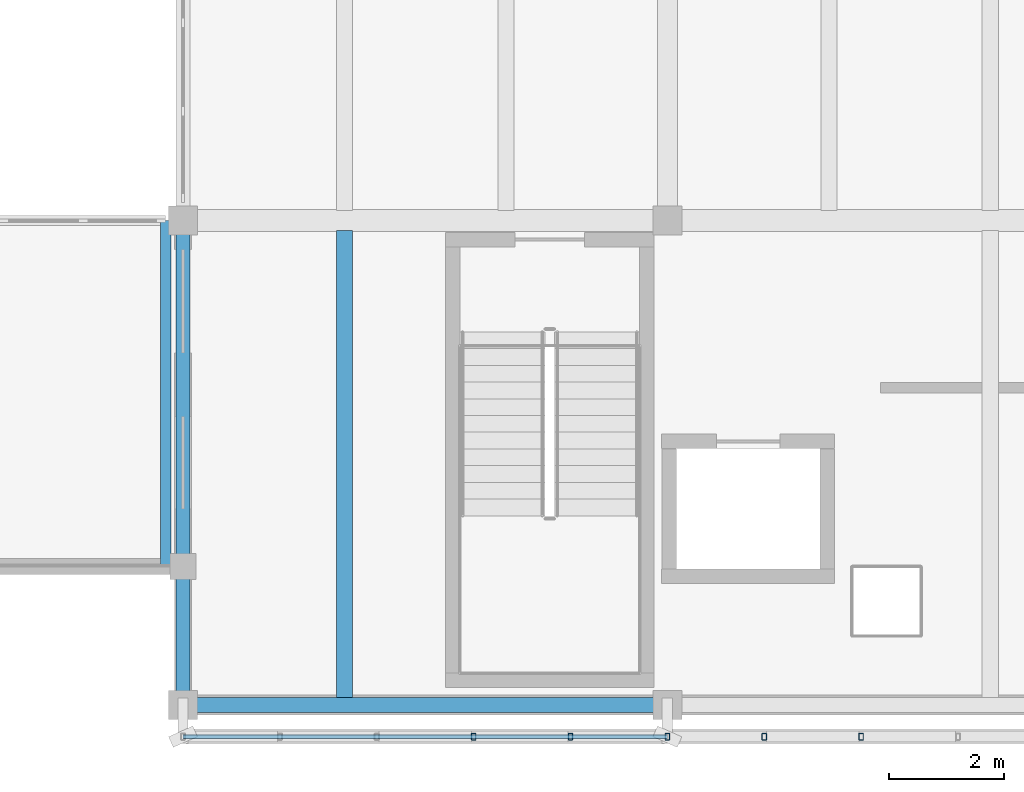
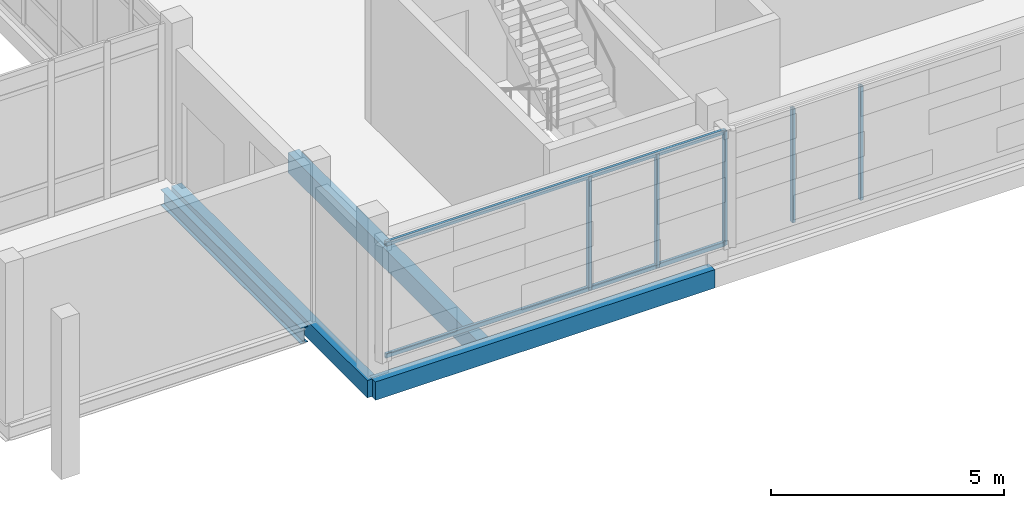
# One storey, part 8 of 137: 7 members, 4 beams.
"""IFC4 building model written with IfcOpenShell, lengths in metres."""

import ifcopenshell
import ifcopenshell.guid

model = None  # the IFC model being written
_history = None  # IfcOwnerHistory: only IFC2X3 demands one
_inside = {}  # id of a spatial element -> (the spatial element, [elements in it])
_under = {}  # id of a project, library or spatial element -> (it, [spatial elements below it])
_declared = {}  # id of a project -> (the project, [libraries it declares])
_typed = {}  # id of a type object -> (the type object, [elements of that type])
_made_of = {}  # id of a material, layer set ... -> (it, [elements and type objects made of it])


def new_model(schema):
    """Start an empty IFC model of exactly this schema.

    Asked for "IFC4X3", IfcOpenShell would pick the latest addendum, in which some entities
    have other attributes; the version numbers below select the first issue.
    IFC2X3 requires an IfcOwnerHistory on every rooted entity: one is made here for all.
    """
    global model, _history
    if schema == "IFC4X3":
        model = ifcopenshell.file(schema_version=(4, 3, 0, 0))
    else:
        model = ifcopenshell.file(schema=schema)
    _inside.clear()
    _under.clear()
    _declared.clear()
    _typed.clear()
    _made_of.clear()
    _history = None
    if model.schema == "IFC2X3":
        org = make("IfcOrganization", Name="unknown")
        user = make(
            "IfcPersonAndOrganization",
            ThePerson=make("IfcPerson", FamilyName="unknown"),
            TheOrganization=org,
        )
        app = make(
            "IfcApplication",
            ApplicationDeveloper=org,
            Version="unknown",
            ApplicationFullName="unknown",
            ApplicationIdentifier="unknown",
        )
        _history = make(
            "IfcOwnerHistory",
            OwningUser=user,
            OwningApplication=app,
            ChangeAction="ADDED",
            CreationDate=0,
        )
    return model


def make(cls, **values):
    """One entity of the class cls with the attributes given. An attribute that is None is left unset."""
    return model.create_entity(
        cls, **{name: value for name, value in values.items() if value is not None}
    )


def rooted(cls, **values):
    """An entity with a GlobalId (a new one), such as an element, a storey or a relation."""
    return make(cls, GlobalId=ifcopenshell.guid.new(), OwnerHistory=_history, **values)


def si_unit(unit_type, name, prefix=None):
    """IfcSIUnit, for example si_unit("LENGTHUNIT", "METRE", prefix="MILLI")."""
    return make("IfcSIUnit", UnitType=unit_type, Prefix=prefix, Name=name)


def assignment(units):
    """IfcUnitAssignment: the units of a project."""
    return None if units is None else make("IfcUnitAssignment", Units=units)


def point(xyz):
    """IfcCartesianPoint."""
    return None if xyz is None else make("IfcCartesianPoint", Coordinates=xyz)


def direction(xyz):
    """IfcDirection."""
    return None if xyz is None else make("IfcDirection", DirectionRatios=xyz)


def frame(location, z_axis=None, x_axis=None):
    """IfcAxis2Placement3D, a coordinate frame: its origin and axes. An axis left out is left unset."""
    return make(
        "IfcAxis2Placement3D",
        Location=point(location),
        Axis=direction(z_axis),
        RefDirection=direction(x_axis),
    )


def frame_2d(location, x_axis=None):
    """IfcAxis2Placement2D, a coordinate frame in the plane: its origin and x axis."""
    return make(
        "IfcAxis2Placement2D", Location=point(location), RefDirection=direction(x_axis)
    )


def origin():
    """The frame at (0, 0, 0) with its axes left unset."""
    return frame((0.0, 0.0, 0.0))


def origin_2d():
    """The frame at (0, 0) in the plane with its x axis left unset."""
    return frame_2d((0.0, 0.0))


def place(relative_to, where):
    """IfcLocalPlacement: puts the frame where relative to a parent placement (None: the world)."""
    return make(
        "IfcLocalPlacement", PlacementRelTo=relative_to, RelativePlacement=where
    )


def context(
    kind, dimensions, precision=None, world=None, true_north=None, identifier=None
):
    """IfcGeometricRepresentationContext, for example the 3D "Model" context."""
    return make(
        "IfcGeometricRepresentationContext",
        ContextIdentifier=identifier,
        ContextType=kind,
        CoordinateSpaceDimension=dimensions,
        Precision=precision,
        WorldCoordinateSystem=world,
        TrueNorth=true_north,
    )


def subcontext(parent, identifier, kind, view, scale=None):
    """IfcGeometricRepresentationSubContext, for example "Body" below "Model"."""
    return make(
        "IfcGeometricRepresentationSubContext",
        ContextIdentifier=identifier,
        ContextType=kind,
        ParentContext=parent,
        TargetScale=scale,
        TargetView=view,
    )


def project(units=None, contexts=None):
    """IfcProject with its units and contexts."""
    return rooted(
        "IfcProject",
        Name="project",
        RepresentationContexts=contexts,
        UnitsInContext=assignment(units),
    )


def spatial(cls, under=None, at=None, **own):
    """A site, building, storey or space (cls), placed at a placement, below another one or the project."""
    s = rooted(cls, ObjectPlacement=at, **own)
    if under is not None:
        _under.setdefault(under.id(), (under, []))[1].append(s)
    return s


def profile(cls, at=None, kind="AREA", **sizes):
    """A parametric profile (cls). Its sizes go by their IFC names, for example OverallWidth=200.0."""
    return make(cls, ProfileType=kind, Position=at, **sizes)


def rectangle(**sizes):
    """IfcRectangleProfileDef."""
    return profile("IfcRectangleProfileDef", **sizes)


def hollow_rectangle(**sizes):
    """IfcRectangleHollowProfileDef."""
    return profile("IfcRectangleHollowProfileDef", **sizes)


def i_section(**sizes):
    """IfcIShapeProfileDef."""
    return profile("IfcIShapeProfileDef", **sizes)


def extrude(swept, where, along, depth):
    """IfcExtrudedAreaSolid: the profile swept, set in the frame where, extruded along a direction by depth."""
    return make(
        "IfcExtrudedAreaSolid",
        SweptArea=swept,
        Position=where,
        ExtrudedDirection=direction(along),
        Depth=depth,
    )


def shape(context_of_items, identifier, shape_type, items):
    """IfcShapeRepresentation: the items that make up one representation, for example the "Body"."""
    return make(
        "IfcShapeRepresentation",
        ContextOfItems=context_of_items,
        RepresentationIdentifier=identifier,
        RepresentationType=shape_type,
        Items=items,
    )


def material(Name=None, Category=None):
    """IfcMaterial."""
    return make("IfcMaterial", Name=Name, Category=Category)


def material_profile(
    of_material, cross_section, Name=None, Category=None, Priority=None
):
    """IfcMaterialProfile: a cross section and its material."""
    return make(
        "IfcMaterialProfile",
        Name=Name,
        Material=of_material,
        Profile=cross_section,
        Priority=Priority,
        Category=Category,
    )


def profile_set(profiles, Name=None, composite=None):
    """IfcMaterialProfileSet."""
    return make(
        "IfcMaterialProfileSet",
        Name=Name,
        MaterialProfiles=profiles,
        CompositeProfile=composite,
    )


def made_of(thing, what):
    """Note that an element or type object is made of a material, layer set ...; save() writes the relation."""
    if what is not None:
        _made_of.setdefault(what.id(), (what, []))[1].append(thing)
    return thing


def type_object(cls, material=None, **own):
    """A type object (cls), such as IfcWallType, which elements share."""
    return made_of(rooted(cls, **own), material)


def element(
    cls,
    number,
    at=None,
    inside=None,
    cuts=None,
    type_object=None,
    material=None,
    context=None,
    identifier="Body",
    shape_type=None,
    held_by="IfcProductDefinitionShape",
    body=None,
    shapes=None,
    **own,
):
    """One element of the class cls, such as IfcWall. Its Tag is "e" and its number.

    at: its placement. inside: the storey or other place that contains it. cuts: it is an
    opening in that element (IfcRelVoidsElement). A single representation is given by context,
    identifier, shape_type and body (its items); several are given by shapes. held_by: the class
    of the entity that holds the representations. save() writes the other relations.
    """
    e = rooted(cls, Tag="e%d" % number, ObjectPlacement=at, **own)
    if body is not None:
        shapes = [shape(context, identifier, shape_type, body)]
    if shapes is not None:
        e.Representation = make(held_by, Representations=shapes)
    if inside is not None:
        _inside.setdefault(inside.id(), (inside, []))[1].append(e)
    if cuts is not None:
        rooted(
            "IfcRelVoidsElement", RelatingBuildingElement=cuts, RelatedOpeningElement=e
        )
    if type_object is not None:
        _typed.setdefault(type_object.id(), (type_object, []))[1].append(e)
    return made_of(e, material)


def aggregate(whole, parts):
    """IfcRelAggregates: a whole, such as a stair, and the parts it consists of."""
    return rooted("IfcRelAggregates", RelatingObject=whole, RelatedObjects=parts)


def save(model, path):
    """Write the relations noted so far, then the file.

    IfcRelAggregates (storeys below a building ...), IfcRelContainedInSpatialStructure (elements
    in a storey), IfcRelDefinesByType, IfcRelAssociatesMaterial and IfcRelDeclares: one each for
    every whole, place, type object, material and project.
    """
    for whole, parts in _under.values():
        aggregate(whole, parts)
    for where, things in _inside.values():
        rooted(
            "IfcRelContainedInSpatialStructure",
            RelatedElements=things,
            RelatingStructure=where,
        )
    for kind, things in _typed.values():
        rooted("IfcRelDefinesByType", RelatedObjects=things, RelatingType=kind)
    for what, things in _made_of.values():
        rooted("IfcRelAssociatesMaterial", RelatedObjects=things, RelatingMaterial=what)
    for by, libraries in _declared.values():
        rooted("IfcRelDeclares", RelatingContext=by, RelatedDefinitions=libraries)
    model.write(path)


model = new_model("IFC4")

# Units and contexts
model_context = context("Model", 3, precision=1e-05, world=origin(), true_north=direction((0.0, 1.0)))
body_context = subcontext(model_context, "Body", "Model", "MODEL_VIEW")
ifc_project = project(units=[si_unit("LENGTHUNIT", "METRE"), si_unit("AREAUNIT", "SQUARE_METRE"), si_unit("VOLUMEUNIT", "CUBIC_METRE"), si_unit("PLANEANGLEUNIT", "RADIAN"), si_unit("MASSUNIT", "GRAM", prefix="KILO")], contexts=[model_context])

# Site, building, storey
site_placement = place(None, origin())
site = spatial("IfcSite", under=ifc_project, at=site_placement, CompositionType="ELEMENT")
building_placement = place(site_placement, origin())
building = spatial("IfcBuilding", under=site, at=building_placement, Name="Cinderway Yard Community Centre", CompositionType="ELEMENT")
storey_placement = place(building_placement, frame((0.0, 0.0, 4.800048828125)))
storey = spatial("IfcBuildingStorey", under=building, at=storey_placement, Name="L01", CompositionType="ELEMENT", Elevation=4.800048828125)

# Members
ifc_material_1 = material(Name="Steel S355", Category="steel")
ifc_material_profile_1 = material_profile(ifc_material_1, hollow_rectangle(XDim=0.080078125, YDim=0.1201171875, WallThickness=0.00634765625, InnerFilletRadius=0.00634765625, OuterFilletRadius=0.0126953125, at=origin_2d()), Name="Steel S355")
ifc_profile_set_1 = profile_set([ifc_material_profile_1], Name="Steel S355")
member_type = type_object("IfcMemberType", Name="ENV-MEM-SCREEN-RAIL-120", PredefinedType="STRINGER", material=ifc_profile_set_1)
for number, where, z_axis, x_axis, name in (
    (1, (58.39990234375, 5.449951171875, 0.7099609375), (1.0, 0.0, 0.0), (0.0, 1.0, 0.0), "Screen support rail 0544-BOT"),
    (2, (58.39990234375, 5.449951171875, 3.639892578125), (1.0, 0.0, 0.0), (0.0, 1.0, 0.0), "Screen support rail 0545-TOP"),
):
    element("IfcMember", number, at=place(storey_placement, frame(where, z_axis=z_axis, x_axis=x_axis)), inside=storey, type_object=member_type, Name=name, PredefinedType="STRINGER", context=body_context, shape_type="SweptSolid", body=[
        extrude(hollow_rectangle(XDim=0.080078125, YDim=0.1201171875, WallThickness=0.00634765625, InnerFilletRadius=0.00634765625, OuterFilletRadius=0.0126953125, at=origin_2d()), origin(), (0.0, 0.0, 1.0), 8.400146484375),
    ])
for number, where, z_axis, x_axis, name in (
    (3, (63.43994140625, 5.449951171875, 0.68994140625), (0.0, 0.0, 1.0), (1.0, 0.0, 0.0), "Screen vertical mullion 0549"),
    (4, (65.1201171875, 5.449951171875, 0.68994140625), (0.0, 0.0, 1.0), (1.0, 0.0, 0.0), "Screen vertical mullion 0550"),
    (5, (66.800048828125, 5.449951171875, 0.68994140625), (0.0, 0.0, 1.0), (1.0, 0.0, 0.0), "Screen vertical mullion 0551"),
    (6, (68.47998046875, 5.449951171875, 0.68994140625), (0.0, 0.0, 1.0), (1.0, 0.0, 0.0), "Screen vertical mullion 0555"),
    (7, (70.159912109375, 5.449951171875, 0.68994140625), (0.0, 0.0, 1.0), (1.0, 0.0, 0.0), "Screen vertical mullion 0556"),
):
    element("IfcMember", number, at=place(storey_placement, frame(where, z_axis=z_axis, x_axis=x_axis)), inside=storey, type_object=member_type, Name=name, PredefinedType="STRINGER", context=body_context, shape_type="SweptSolid", body=[
        extrude(hollow_rectangle(XDim=0.080078125, YDim=0.1201171875, WallThickness=0.00634765625, InnerFilletRadius=0.00634765625, OuterFilletRadius=0.0126953125, at=origin_2d()), origin(), (0.0, 0.0, 1.0), 2.969970703125),
    ])

# Beams
ifc_material_2 = material(Name="Concrete C40/50", Category="concrete")
ifc_material_profile_2 = material_profile(ifc_material_2, rectangle(XDim=0.25, YDim=0.449951171875, at=origin_2d()), Name="Concrete C40/50")
ifc_profile_set_2 = profile_set([ifc_material_profile_2], Name="Concrete C40/50")
beam_type_1 = type_object("IfcBeamType", Name="STR-BM-RC250X450", PredefinedType="SPANDREL", material=ifc_profile_set_2)
beam_1_placement = place(storey_placement, frame((58.39990234375, 6.0, -0.465087890625), z_axis=(0.0, 1.0, 0.0), x_axis=(-1.0, 0.0, 0.0)))
element("IfcBeam", 8, at=beam_1_placement, inside=storey, type_object=beam_type_1, Name="Transverse girder STR-BM-L01-SP02-0132", PredefinedType="SPANDREL", context=body_context, shape_type="SweptSolid", body=[
    extrude(rectangle(XDim=0.25, YDim=0.449951171875, at=origin_2d()), origin(), (0.0, 0.0, 1.0), 8.39990234375),
])
ifc_material_profile_3 = material_profile(ifc_material_2, rectangle(XDim=0.260009765625, YDim=0.47998046875, at=origin_2d()), Name="Concrete C40/50")
ifc_profile_set_3 = profile_set([ifc_material_profile_3], Name="Concrete C40/50")
beam_type_2 = type_object("IfcBeamType", Name="STR-BM-RC260X480", PredefinedType="SPANDREL", material=ifc_profile_set_3)
beam_2_placement = place(storey_placement, frame((58.39990234375, 6.0, -0.47998046875), z_axis=(1.0, 0.0, 0.0), x_axis=(0.0, 1.0, 0.0)))
element("IfcBeam", 9, at=beam_2_placement, inside=storey, type_object=beam_type_2, Name="Primary girder STR-BM-L01-SP01-0111", PredefinedType="SPANDREL", context=body_context, shape_type="SweptSolid", body=[
    extrude(rectangle(XDim=0.260009765625, YDim=0.47998046875, at=origin_2d()), origin(), (0.0, 0.0, 1.0), 8.400146484375),
])
ifc_material_3 = material(Name="Concrete C35/45", Category="concrete")
ifc_material_profile_4 = material_profile(ifc_material_3, rectangle(XDim=0.280029296875, YDim=0.52001953125, at=origin_2d()), Name="Concrete C35/45")
ifc_profile_set_4 = profile_set([ifc_material_profile_4], Name="Concrete C35/45")
beam_type_3 = type_object("IfcBeamType", Name="STR-BM-RC280X520", PredefinedType="JOIST", material=ifc_profile_set_4)
beam_3_placement = place(storey_placement, frame((61.199951171875, 6.112060546875, -0.5), z_axis=(0.0, 1.0, 0.0), x_axis=(-1.0, 0.0, 0.0)))
element("IfcBeam", 10, at=beam_3_placement, inside=storey, type_object=beam_type_3, Name="Secondary joist STR-BM-L01-BJ04-0147", PredefinedType="JOIST", context=body_context, shape_type="SweptSolid", body=[
    extrude(rectangle(XDim=0.280029296875, YDim=0.52001953125, at=origin_2d()), origin(), (0.0, 0.0, 1.0), 8.115966796875),
])
ifc_material_profile_5 = material_profile(ifc_material_1, i_section(OverallWidth=0.178955078125, OverallDepth=0.409912109375, WebThickness=0.0087890625, FlangeThickness=0.013427734375, FilletRadius=0.011962890625, at=origin_2d()), Name="Steel S355")
ifc_profile_set_5 = profile_set([ifc_material_profile_5], Name="Steel S355")
beam_type_4 = type_object("IfcBeamType", Name="STR-BM-W410X67", PredefinedType="JOIST", material=ifc_profile_set_5)
beam_4_placement = place(storey_placement, frame((58.10009765625, 8.39990234375, -0.445068359375), z_axis=(0.0, 1.0, 0.0), x_axis=(-1.0, 0.0, 0.0)))
element("IfcBeam", 11, at=beam_4_placement, inside=storey, type_object=beam_type_4, Name="Transverse girder STR-BM-L01-SJ02-0652", PredefinedType="JOIST", context=body_context, shape_type="SweptSolid", body=[
    extrude(i_section(OverallWidth=0.178955078125, OverallDepth=0.409912109375, WebThickness=0.0087890625, FlangeThickness=0.013427734375, FilletRadius=0.011962890625, at=origin_2d()), origin(), (0.0, 0.0, 1.0), 6.0),
])

save(model, "model.ifc")
